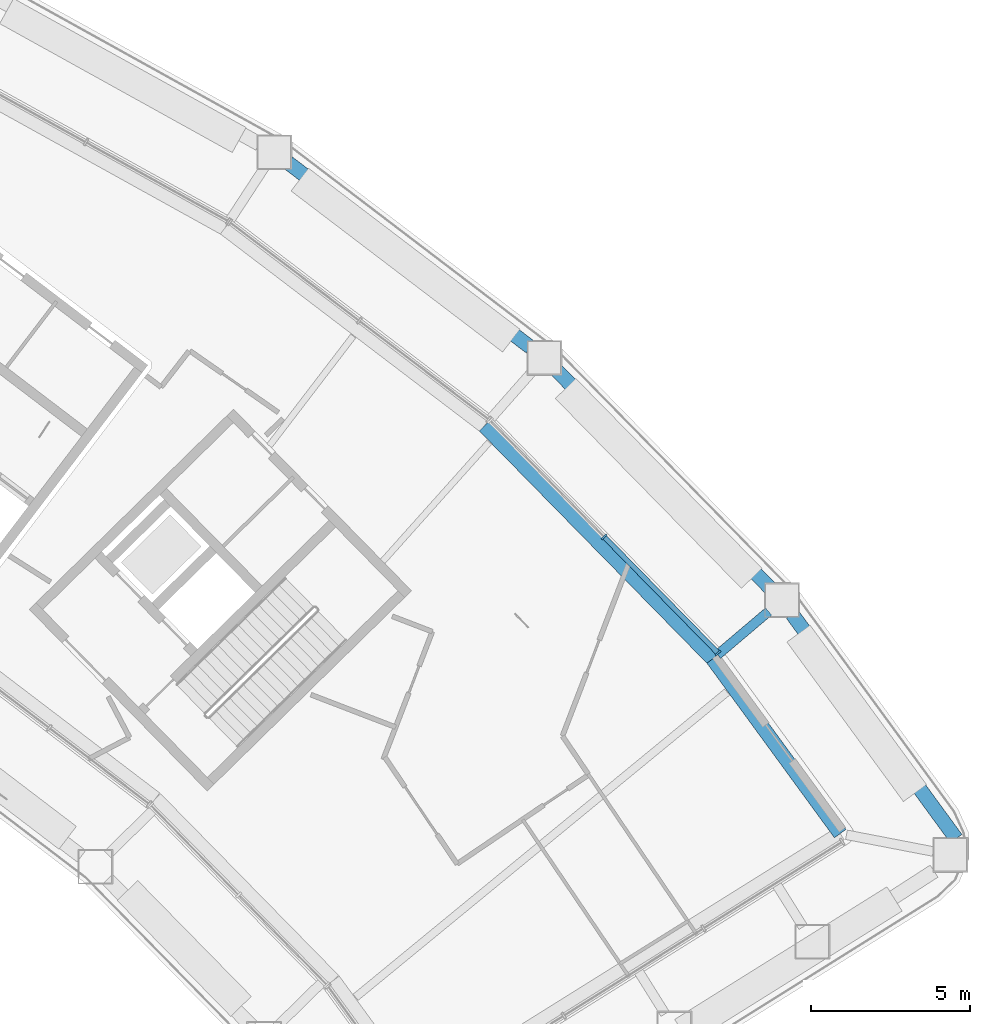
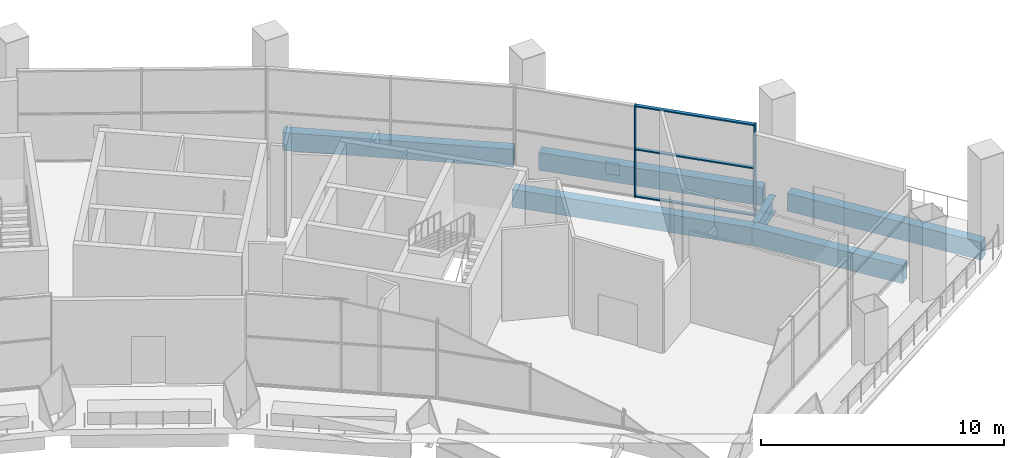
# One storey, part 10 of 28: 6 beams, 5 members, 1 element without a shape of its own.
"""IFC4 building model written with IfcOpenShell, lengths in metres."""

from ifc_helpers import new_model, si_unit, direction, frame, origin, origin_2d, place, context, subcontext, project, spatial, rectangle, hollow_rectangle, i_section, extrude, material, layer, layer_set, material_profile, profile_set, type_object, element, aggregate, save


model = new_model("IFC4")

# Units and contexts
model_context = context("Model", 3, precision=1e-05, world=origin(), true_north=direction((0.0, 1.0)))
body_context = subcontext(model_context, "Body", "Model", "MODEL_VIEW")
ifc_project = project(units=[si_unit("LENGTHUNIT", "METRE"), si_unit("AREAUNIT", "SQUARE_METRE"), si_unit("VOLUMEUNIT", "CUBIC_METRE"), si_unit("PLANEANGLEUNIT", "RADIAN"), si_unit("MASSUNIT", "GRAM", prefix="KILO")], contexts=[model_context])

# Site, building, storey
site_placement = place(None, origin())
site = spatial("IfcSite", under=ifc_project, at=site_placement, CompositionType="ELEMENT")
building_placement = place(site_placement, origin())
building = spatial("IfcBuilding", under=site, at=building_placement, Name="Tuul Gate Civic Tower", CompositionType="ELEMENT")
storey_placement = place(building_placement, frame((0.0, 0.0, 128.699951171875)))
storey = spatial("IfcBuildingStorey", under=building, at=storey_placement, Name="Sky garden level 1", CompositionType="ELEMENT", Elevation=128.699951171875)

# Curtain wall, members
ifc_material_1 = material(Name="Aluminium", Category="aluminium")
ifc_layer = layer(ifc_material_1, 0.199951171875)
ifc_layer_set = layer_set([ifc_layer], Name="Aluminium")
curtain_wall_type = type_object("IfcCurtainWallType", Name="Curtain wall CW3", PredefinedType="NOTDEFINED", material=ifc_layer_set)
curtain_wall_placement = place(storey_placement, origin())
curtain_wall = element("IfcCurtainWall", 1, at=curtain_wall_placement, inside=storey, type_object=curtain_wall_type, Name="Curtain wall CW3", PredefinedType="NOTDEFINED")
ifc_material_2 = material(Name="Aluminium", Category="aluminium")
ifc_material_profile_1 = material_profile(ifc_material_2, rectangle(XDim=0.219970703125, YDim=0.06005859375, at=origin_2d()), Name="CW3 mullion")
ifc_profile_set_1 = profile_set([ifc_material_profile_1], Name="Aluminium")
member_type_1 = type_object("IfcMemberType", Name="CW3 mullion", PredefinedType="MULLION", material=ifc_profile_set_1)
member_1_placement = place(storey_placement, frame((64.19091796875, -14.093505859375, 0.0), z_axis=(0.0, 0.0, 1.0), x_axis=(-0.714109949145, -0.700033556719, 0.0)))
member_1 = element("IfcMember", 2, at=member_1_placement, type_object=member_type_1, Name="Mullion", PredefinedType="MULLION", context=body_context, shape_type="SweptSolid", body=[
    extrude(rectangle(XDim=0.219970703125, YDim=0.06005859375, at=origin_2d()), origin(), (0.0, 0.0, 1.0), 4.60009765625),
])
member_2_placement = place(storey_placement, frame((60.6064453125, -10.43701171875, 0.0), z_axis=(0.0, 0.0, 1.0), x_axis=(-0.714109949145, -0.700033556719, 0.0)))
member_2 = element("IfcMember", 3, at=member_2_placement, type_object=member_type_1, Name="Mullion", PredefinedType="MULLION", context=body_context, shape_type="SweptSolid", body=[
    extrude(rectangle(XDim=0.219970703125, YDim=0.06005859375, at=origin_2d()), origin(), (0.0, 0.0, 1.0), 4.60009765625),
])
ifc_material_3 = material(Name="Aluminium", Category="aluminium")
ifc_material_profile_2 = material_profile(ifc_material_3, rectangle(XDim=0.159912109375, YDim=0.06005859375, at=origin_2d()), Name="CW3 transom")
ifc_profile_set_2 = profile_set([ifc_material_profile_2], Name="Aluminium")
member_type_2 = type_object("IfcMemberType", Name="CW3 transom", PredefinedType="USERDEFINED", material=ifc_profile_set_2)
member_3_placement = place(storey_placement, frame((64.169921875, -14.072265625, 0.030029296875), z_axis=(-0.700027998076, 0.714115398175, 0.0), x_axis=(-0.714115398175, -0.700027998076, 0.0)))
member_3 = element("IfcMember", 4, at=member_3_placement, type_object=member_type_2, Name="Transom", ObjectType="TRANSOM", PredefinedType="USERDEFINED", context=body_context, shape_type="SweptSolid", body=[
    extrude(rectangle(XDim=0.159912109375, YDim=0.06005859375, at=origin_2d()), origin(), (0.0, 0.0, 1.0), 5.060546875),
])
member_4_placement = place(storey_placement, frame((64.169921875, -14.072265625, 2.400146484375), z_axis=(-0.700027998076, 0.714115398175, 0.0), x_axis=(-0.714115398175, -0.700027998076, 0.0)))
member_4 = element("IfcMember", 5, at=member_4_placement, type_object=member_type_2, Name="Transom", ObjectType="TRANSOM", PredefinedType="USERDEFINED", context=body_context, shape_type="SweptSolid", body=[
    extrude(rectangle(XDim=0.159912109375, YDim=0.06005859375, at=origin_2d()), origin(), (0.0, 0.0, 1.0), 5.060546875),
])
member_5_placement = place(storey_placement, frame((64.169921875, -14.072265625, 4.570068359375), z_axis=(-0.700027998076, 0.714115398175, 0.0), x_axis=(-0.714115398175, -0.700027998076, 0.0)))
member_5 = element("IfcMember", 6, at=member_5_placement, type_object=member_type_2, Name="Transom", ObjectType="TRANSOM", PredefinedType="USERDEFINED", context=body_context, shape_type="SweptSolid", body=[
    extrude(rectangle(XDim=0.159912109375, YDim=0.06005859375, at=origin_2d()), origin(), (0.0, 0.0, 1.0), 5.060546875),
])
aggregate(curtain_wall, [member_1, member_2, member_3, member_4, member_5])

# Beams
ifc_material_4 = material(Name="Steel S355", Category="steel")
ifc_material_profile_3 = material_profile(ifc_material_4, i_section(OverallWidth=0.300048828125, OverallDepth=0.800048828125, WebThickness=0.013916015625, FlangeThickness=0.02490234375, at=origin_2d()), Name="PG800x300x14x25")
ifc_profile_set_3 = profile_set([ifc_material_profile_3], Name="Steel S355")
beam_type_1 = type_object("IfcBeamType", Name="STR-FLOOR BEAM-PG800x300x14x25", PredefinedType="BEAM", material=ifc_profile_set_3)
beam_1_placement = place(storey_placement, frame((65.781494140625, -12.78466796875, -0.699951171875), z_axis=(-0.762744544553, -0.646699899299, 0.0), x_axis=(0.646699899299, -0.762744544553, 0.0)))
element("IfcBeam", 7, at=beam_1_placement, inside=storey, type_object=beam_type_1, Name="Terrace beam", PredefinedType="BEAM", context=body_context, shape_type="SweptSolid", body=[
    extrude(i_section(OverallWidth=0.300048828125, OverallDepth=0.800048828125, WebThickness=0.013916015625, FlangeThickness=0.02490234375, at=origin_2d()), origin(), (0.0, 0.0, 1.0), 2.108154296875),
])
ifc_material_5 = material(Name="Steel S355", Category="steel")
ifc_material_profile_4 = material_profile(ifc_material_5, hollow_rectangle(XDim=0.449951171875, YDim=0.89990234375, WallThickness=0.02490234375, at=origin_2d()), Name="BOX900x450x25")
ifc_profile_set_4 = profile_set([ifc_material_profile_4], Name="Steel S355")
beam_type_2 = type_object("IfcBeamType", Name="STR-SPANDREL BEAM-BOX900x450x25", PredefinedType="BEAM", material=ifc_profile_set_4)
beam_2_placement = place(storey_placement, frame((56.835693359375, -6.94677734375, -0.75), z_axis=(0.699995549953, -0.714147204746, 0.0), x_axis=(0.714147204746, 0.699995549953, 0.0)))
element("IfcBeam", 8, at=beam_2_placement, inside=storey, type_object=beam_type_2, Name="Spandrel beam", PredefinedType="BEAM", context=body_context, shape_type="SweptSolid", body=[
    extrude(hollow_rectangle(XDim=0.449951171875, YDim=0.89990234375, WallThickness=0.02490234375, at=origin_2d()), origin(), (0.0, 0.0, 1.0), 10.264892578125),
])
beam_3_placement = place(storey_placement, frame((64.02099609375, -14.27734375, -0.75), z_axis=(0.589768299762, -0.807572506092, 0.0), x_axis=(0.807572506092, 0.589768299762, 0.0)))
element("IfcBeam", 9, at=beam_3_placement, inside=storey, type_object=beam_type_2, Name="Spandrel beam", PredefinedType="BEAM", context=body_context, shape_type="SweptSolid", body=[
    extrude(hollow_rectangle(XDim=0.449951171875, YDim=0.89990234375, WallThickness=0.02490234375, at=origin_2d()), origin(), (0.0, 0.0, 1.0), 6.80517578125),
])
beam_4_placement = place(storey_placement, frame((71.6806640625, -19.932373046875, -0.75), z_axis=(-0.589758164626, 0.807579907661, 0.0), x_axis=(-0.807579907661, -0.589758164626, 0.0)))
element("IfcBeam", 10, at=beam_4_placement, inside=storey, type_object=beam_type_2, Name="Terrace edge beam", PredefinedType="BEAM", context=body_context, shape_type="SweptSolid", body=[
    extrude(hollow_rectangle(XDim=0.449951171875, YDim=0.89990234375, WallThickness=0.02490234375, at=origin_2d()), origin(), (0.0, 0.0, 1.0), 8.741455078125),
])
beam_5_placement = place(storey_placement, frame((65.81591796875, -12.0361328125, -0.75), z_axis=(-0.700049238086, 0.714094576548, 0.0), x_axis=(-0.714094576548, -0.700049238086, 0.0)))
element("IfcBeam", 11, at=beam_5_placement, inside=storey, type_object=beam_type_2, Name="Terrace edge beam", PredefinedType="BEAM", context=body_context, shape_type="SweptSolid", body=[
    extrude(hollow_rectangle(XDim=0.449951171875, YDim=0.89990234375, WallThickness=0.02490234375, at=origin_2d()), origin(), (0.0, 0.0, 1.0), 9.57763671875),
])
beam_6_placement = place(storey_placement, frame((58.288330078125, -4.470703125, -0.75), z_axis=(-0.795628890165, 0.605784342101, 0.0), x_axis=(-0.605784342101, -0.795628890165, 0.0)))
element("IfcBeam", 12, at=beam_6_placement, inside=storey, type_object=beam_type_2, Name="Terrace edge beam", PredefinedType="BEAM", context=body_context, shape_type="SweptSolid", body=[
    extrude(hollow_rectangle(XDim=0.449951171875, YDim=0.89990234375, WallThickness=0.02490234375, at=origin_2d()), origin(), (0.0, 0.0, 1.0), 9.576904296875),
])

save(model, "model.ifc")
